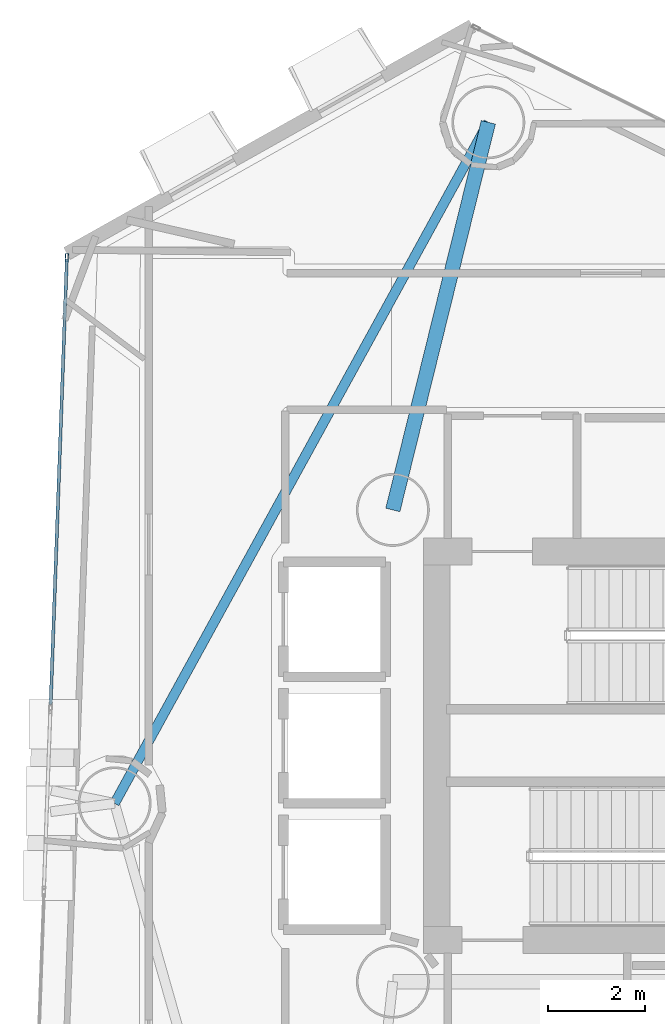
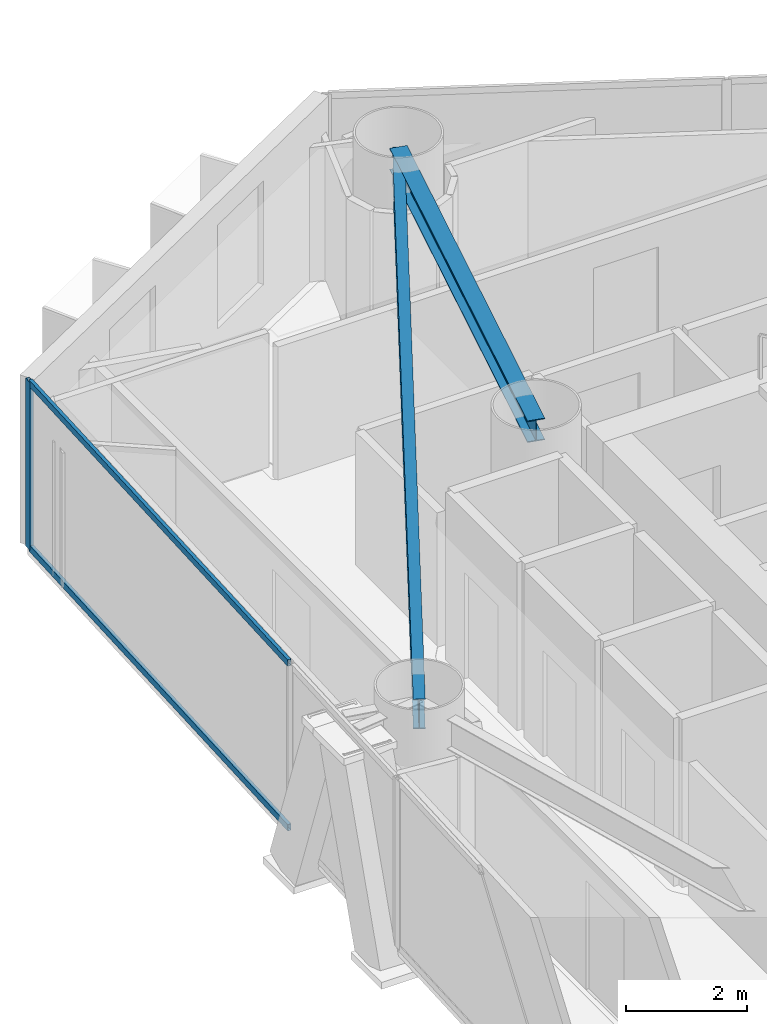
# One storey, part 8 of 22: 3 members, 2 beams, 1 element without a shape of its own.
"""IFC4 building model written with IfcOpenShell, lengths in metres."""

from ifc_helpers import new_model, si_unit, direction, frame, origin, origin_2d, place, context, subcontext, project, spatial, hollow_rectangle, i_section, extrude, material, layer, layer_set, material_profile, profile_set, type_object, element, aggregate, save


model = new_model("IFC4")

# Units and contexts
model_context = context("Model", 3, precision=1e-05, world=origin(), true_north=direction((0.0, 1.0)))
body_context = subcontext(model_context, "Body", "Model", "MODEL_VIEW")
ifc_project = project(units=[si_unit("LENGTHUNIT", "METRE"), si_unit("AREAUNIT", "SQUARE_METRE"), si_unit("VOLUMEUNIT", "CUBIC_METRE"), si_unit("PLANEANGLEUNIT", "RADIAN"), si_unit("MASSUNIT", "GRAM", prefix="KILO")], contexts=[model_context])

# Site, building, storey
site_placement = place(None, origin())
site = spatial("IfcSite", under=ifc_project, at=site_placement, CompositionType="ELEMENT")
building_placement = place(site_placement, origin())
building = spatial("IfcBuilding", under=site, at=building_placement, Name="Qianvela Tower", CompositionType="ELEMENT")
storey_placement = place(building_placement, frame((0.0, 0.0, 134.800048828125)))
storey = spatial("IfcBuildingStorey", under=building, at=storey_placement, Name="L34", CompositionType="ELEMENT", Elevation=134.800048828125)

# Beams
ifc_material_1 = material(Name="Steel Q355B", Category="steel")
ifc_material_profile_1 = material_profile(ifc_material_1, i_section(OverallWidth=0.300048828125, OverallDepth=0.43994140625, WebThickness=0.010986328125, FlangeThickness=0.01806640625, at=origin_2d()), Name="HM440x300x11x18")
ifc_profile_set_1 = profile_set([ifc_material_profile_1], Name="Steel Q355B")
beam_type_1 = type_object("IfcBeamType", Name="BM-HM440-COLL", PredefinedType="BEAM", material=ifc_profile_set_1)
beam_1_placement = place(storey_placement, frame((28.60009765625, 33.550048828125, 3.177978515625), z_axis=(0.239224384232, 0.970964311388, 0.0), x_axis=(-0.970964311388, 0.239224384232, 0.0)))
element("IfcBeam", 1, at=beam_1_placement, inside=storey, type_object=beam_type_1, Name="L34 Perimeter Ring Tie Girder 2B", PredefinedType="BEAM", context=body_context, shape_type="SweptSolid", body=[
    extrude(i_section(OverallWidth=0.300048828125, OverallDepth=0.43994140625, WebThickness=0.010986328125, FlangeThickness=0.01806640625, at=origin_2d()), origin(), (0.0, 0.0, 1.0), 8.209228515625),
])
ifc_material_2 = material(Name="Steel Q355B", Category="steel")
ifc_material_profile_2 = material_profile(ifc_material_2, i_section(OverallWidth=0.199951171875, OverallDepth=0.60009765625, WebThickness=0.010986328125, FlangeThickness=0.01708984375, at=origin_2d()), Name="HN600x200x11x17")
ifc_profile_set_2 = profile_set([ifc_material_profile_2], Name="Steel Q355B")
beam_type_2 = type_object("IfcBeamType", Name="BM-HN600-GIRD", PredefinedType="BEAM", material=ifc_profile_set_2)
beam_2_placement = place(storey_placement, frame((30.56396484375, 41.52099609375, 3.097900390625), z_axis=(-0.481118353038, -0.876655650965, 0.0), x_axis=(0.876655650965, -0.481118353038, 0.0)))
element("IfcBeam", 2, at=beam_2_placement, inside=storey, type_object=beam_type_2, Name="L34 Perimeter Ring Spandrel Girder 3", PredefinedType="BEAM", context=body_context, shape_type="SweptSolid", body=[
    extrude(i_section(OverallWidth=0.199951171875, OverallDepth=0.60009765625, WebThickness=0.010986328125, FlangeThickness=0.01708984375, at=origin_2d()), origin(), (0.0, 0.0, 1.0), 15.975341796875),
])

# Curtain wall, members
ifc_material_3 = material(Name="Anodised Architectural Aluminium and Low-E Glass", Category="aluminium")
ifc_layer = layer(ifc_material_3, 0.169921875)
ifc_layer_set = layer_set([ifc_layer], Name="Anodised Architectural Aluminium and Low-E Glass")
curtain_wall_type = type_object("IfcCurtainWallType", Name="CW-COLIV-Z34", PredefinedType="USERDEFINED", material=ifc_layer_set)
curtain_wall_placement = place(storey_placement, origin())
curtain_wall = element("IfcCurtainWall", 3, at=curtain_wall_placement, inside=storey, type_object=curtain_wall_type, Name="L34 CW-COLIV-Z34 Curtain Wall 04A", ObjectType="CURTAIN_WALL_SYSTEM", PredefinedType="USERDEFINED")
ifc_material_4 = material(Name="Anodised Architectural Aluminium 6063-T6", Category="aluminium")
ifc_material_profile_3 = material_profile(ifc_material_4, hollow_rectangle(XDim=0.06494140625, YDim=0.159912109375, WallThickness=0.0048828125, at=origin_2d()), Name="ALU-MULL-65x160")
ifc_profile_set_3 = profile_set([ifc_material_profile_3], Name="Anodised Architectural Aluminium 6063-T6")
member_type_1 = type_object("IfcMemberType", Name="CW-COLIV-Z34-MULL", PredefinedType="MULLION", material=ifc_profile_set_3)
member_1_placement = place(storey_placement, frame((21.896240234375, 38.74169921875, 0.0), z_axis=(0.0, 0.0, 1.0), x_axis=(0.99934088879, -0.03630134972, 0.0)))
member_1 = element("IfcMember", 4, at=member_1_placement, type_object=member_type_1, Name="CW-4 mullion 1", PredefinedType="MULLION", context=body_context, shape_type="SweptSolid", body=[
    extrude(hollow_rectangle(XDim=0.06494140625, YDim=0.159912109375, WallThickness=0.0048828125, at=origin_2d()), origin(), (0.0, 0.0, 1.0), 3.39990234375),
])
ifc_material_5 = material(Name="Anodised Architectural Aluminium 6063-T6", Category="aluminium")
ifc_material_profile_4 = material_profile(ifc_material_5, hollow_rectangle(XDim=0.06494140625, YDim=0.1298828125, WallThickness=0.00439453125, at=origin_2d()), Name="ALU-TRAN-65x130")
ifc_profile_set_4 = profile_set([ifc_material_profile_4], Name="Anodised Architectural Aluminium 6063-T6")
member_type_2 = type_object("IfcMemberType", Name="CW-COLIV-Z34-TRAN", PredefinedType="USERDEFINED", material=ifc_profile_set_4)
member_2_placement = place(storey_placement, frame((21.89501953125, 38.709228515625, 0.032470703125), z_axis=(-0.036287891561, -0.999341377571, 0.0), x_axis=(0.999341377571, -0.036287891561, 0.0)))
member_2 = element("IfcMember", 5, at=member_2_placement, type_object=member_type_2, Name="CW-4 transom 1.1", ObjectType="TRANSOM", PredefinedType="USERDEFINED", context=body_context, shape_type="SweptSolid", body=[
    extrude(hollow_rectangle(XDim=0.06494140625, YDim=0.1298828125, WallThickness=0.00439453125, at=origin_2d()), origin(), (0.0, 0.0, 1.0), 9.170166015625),
])
member_3_placement = place(storey_placement, frame((21.89501953125, 38.709228515625, 3.367431640625), z_axis=(-0.036287891561, -0.999341377571, 0.0), x_axis=(0.999341377571, -0.036287891561, 0.0)))
member_3 = element("IfcMember", 6, at=member_3_placement, type_object=member_type_2, Name="CW-4 transom 1.2", ObjectType="TRANSOM", PredefinedType="USERDEFINED", context=body_context, shape_type="SweptSolid", body=[
    extrude(hollow_rectangle(XDim=0.06494140625, YDim=0.1298828125, WallThickness=0.00439453125, at=origin_2d()), origin(), (0.0, 0.0, 1.0), 9.170166015625),
])
aggregate(curtain_wall, [member_1, member_2, member_3])

save(model, "model.ifc")
